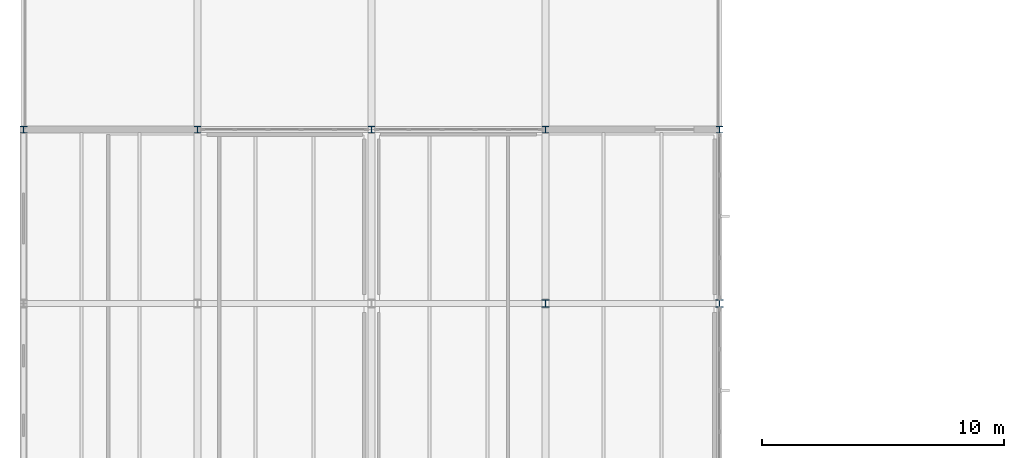
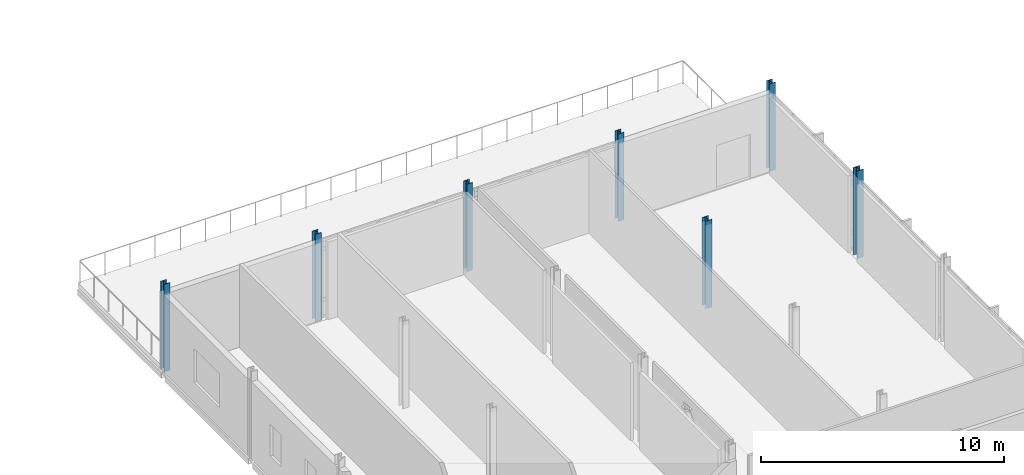
# One storey, part 2 of 21: 7 columns.
"""IFC4 building model written with IfcOpenShell, lengths in metres."""

from ifc_helpers import new_model, si_unit, direction, frame, origin, origin_2d, place, context, subcontext, project, spatial, i_section, extrude, material, material_profile, profile_set, type_object, element, save


model = new_model("IFC4")

# Units and contexts
model_context = context("Model", 3, precision=1e-05, world=origin(), true_north=direction((0.0, 1.0)))
body_context = subcontext(model_context, "Body", "Model", "MODEL_VIEW")
ifc_project = project(units=[si_unit("LENGTHUNIT", "METRE"), si_unit("AREAUNIT", "SQUARE_METRE"), si_unit("VOLUMEUNIT", "CUBIC_METRE"), si_unit("PLANEANGLEUNIT", "RADIAN"), si_unit("MASSUNIT", "GRAM", prefix="KILO")], contexts=[model_context])

# Site, building, storey
site_placement = place(None, origin())
site = spatial("IfcSite", under=ifc_project, at=site_placement, CompositionType="ELEMENT")
building_placement = place(site_placement, origin())
building = spatial("IfcBuilding", under=site, at=building_placement, Name="Zarrinpeak Specialist Clinic", CompositionType="ELEMENT")
storey_placement = place(building_placement, frame((0.0, 0.0, 22.800048828125)))
storey = spatial("IfcBuildingStorey", under=building, at=storey_placement, Name="L05", CompositionType="ELEMENT", Elevation=22.800048828125)

# Columns
ifc_material = material(Name="Steel S355", Category="steel")
ifc_material_profile_1 = material_profile(ifc_material, i_section(OverallWidth=0.280029296875, OverallDepth=0.280029296875, WebThickness=0.010498046875, FlangeThickness=0.01806640625, FilletRadius=0.02392578125, at=origin_2d()), Name="HEB 280")
ifc_profile_set_1 = profile_set([ifc_material_profile_1], Name="Steel S355")
column_type_1 = type_object("IfcColumnType", Name="COL-HEB280", PredefinedType="COLUMN", material=ifc_profile_set_1)
for number, where, z_axis, x_axis, name in (
    (1, (0.0, 43.199951171875, 0.0), (0.0, 0.0, 1.0), (1.0, 0.0, 0.0), "L05 Structural Column COL-L05-005"),
    (2, (7.199951171875, 43.199951171875, 0.0), (0.0, 0.0, 1.0), (1.0, 0.0, 0.0), "L05 Structural Column COL-L05-012"),
    (3, (14.39990234375, 43.199951171875, 0.0), (0.0, 0.0, 1.0), (1.0, 0.0, 0.0), "L05 Structural Column COL-L05-019"),
    (4, (21.60009765625, 43.199951171875, 0.0), (0.0, 0.0, 1.0), (1.0, 0.0, 0.0), "L05 Structural Column COL-L05-026"),
    (5, (28.800048828125, 43.199951171875, 0.0), (0.0, 0.0, 1.0), (1.0, 0.0, 0.0), "L05 Structural Column COL-L05-031"),
):
    element("IfcColumn", number, at=place(storey_placement, frame(where, z_axis=z_axis, x_axis=x_axis)), inside=storey, type_object=column_type_1, Name=name, PredefinedType="COLUMN", context=body_context, shape_type="SweptSolid", body=[
        extrude(i_section(OverallWidth=0.280029296875, OverallDepth=0.280029296875, WebThickness=0.010498046875, FlangeThickness=0.01806640625, FilletRadius=0.02392578125, at=origin_2d()), origin(), (0.0, 0.0, 1.0), 4.39990234375),
    ])
ifc_material_profile_2 = material_profile(ifc_material, i_section(OverallWidth=0.300048828125, OverallDepth=0.320068359375, WebThickness=0.011474609375, FlangeThickness=0.0205078125, FilletRadius=0.027099609375, at=origin_2d()), Name="HEB 320")
ifc_profile_set_2 = profile_set([ifc_material_profile_2], Name="Steel S355")
column_type_2 = type_object("IfcColumnType", Name="COL-HEB320", PredefinedType="COLUMN", material=ifc_profile_set_2)
for number, where, z_axis, x_axis, name in (
    (6, (21.60009765625, 36.0, 0.0), (0.0, 0.0, 1.0), (1.0, 0.0, 0.0), "L05 Structural Column COL-L05-025"),
    (7, (28.800048828125, 36.0, 0.0), (0.0, 0.0, 1.0), (1.0, 0.0, 0.0), "L05 Structural Column COL-L05-030"),
):
    element("IfcColumn", number, at=place(storey_placement, frame(where, z_axis=z_axis, x_axis=x_axis)), inside=storey, type_object=column_type_2, Name=name, PredefinedType="COLUMN", context=body_context, shape_type="SweptSolid", body=[
        extrude(i_section(OverallWidth=0.300048828125, OverallDepth=0.320068359375, WebThickness=0.011474609375, FlangeThickness=0.0205078125, FilletRadius=0.027099609375, at=origin_2d()), origin(), (0.0, 0.0, 1.0), 4.39990234375),
    ])

save(model, "model.ifc")
